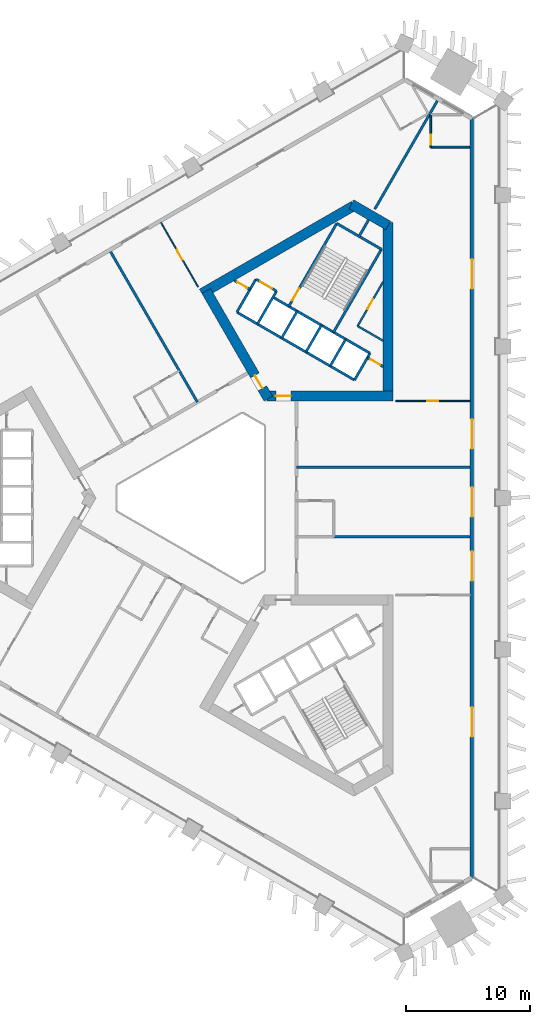
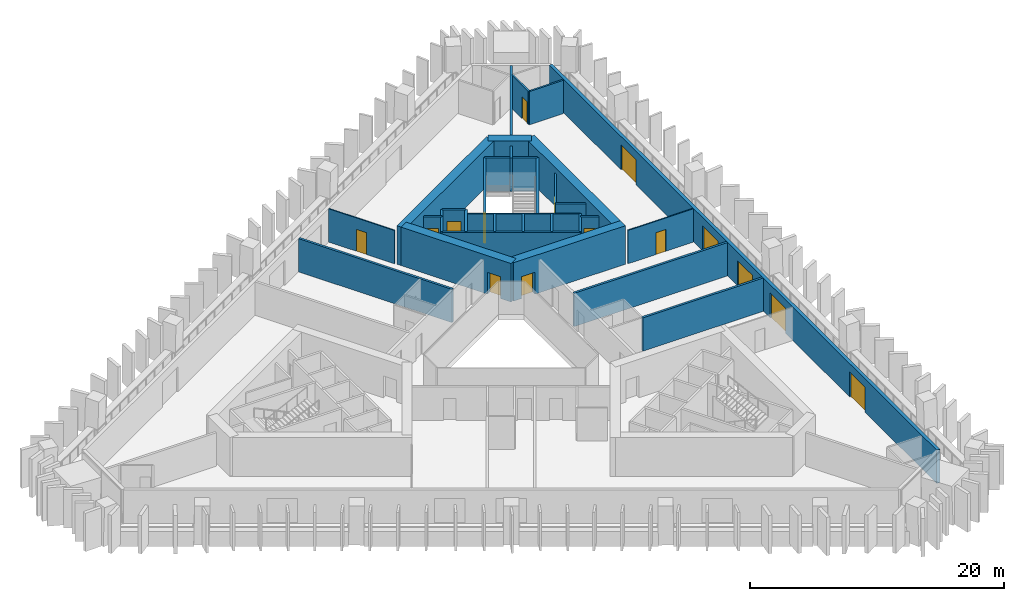
# One storey, part 5 of 10: 31 walls, 15 doors, 15 openings.
"""IFC4 building model written with IfcOpenShell, lengths in metres."""

from ifc_helpers import new_model, si_unit, direction, frame, frame_2d, origin, place, context, subcontext, project, spatial, rectangle, extrude, material, layer, layer_set, type_object, element, fill, save


model = new_model("IFC4")

# Units and contexts
model_context = context("Model", 3, precision=1e-05, world=origin(), true_north=direction((0.0, 1.0)))
body_context = subcontext(model_context, "Body", "Model", "MODEL_VIEW")
ifc_project = project(units=[si_unit("LENGTHUNIT", "METRE"), si_unit("AREAUNIT", "SQUARE_METRE"), si_unit("VOLUMEUNIT", "CUBIC_METRE"), si_unit("PLANEANGLEUNIT", "RADIAN"), si_unit("MASSUNIT", "GRAM", prefix="KILO")], contexts=[model_context])

# Site, building, storey
site_placement = place(None, origin())
site = spatial("IfcSite", under=ifc_project, at=site_placement, CompositionType="ELEMENT")
building_placement = place(site_placement, origin())
building = spatial("IfcBuilding", under=site, at=building_placement, Name="Jabali Bay Hotel Tower and Convention Centre", CompositionType="ELEMENT")
storey_placement = place(building_placement, frame((0.0, 0.0, 44.800048828125)))
storey = spatial("IfcBuildingStorey", under=building, at=storey_placement, Name="L09", CompositionType="ELEMENT", Elevation=44.800048828125)

# Wall
ifc_material_1 = material(Name="Concrete C40", Category="concrete")
ifc_layer_1 = layer(ifc_material_1, 0.199951171875)
ifc_layer_set_1 = layer_set([ifc_layer_1], Name="Concrete C40")
wall_type_1 = type_object("IfcWallType", Name="Core partition wall 200", PredefinedType="PARTITIONING", material=ifc_layer_set_1)
wall_1_placement = place(storey_placement, frame((87.090087890625, 100.9404296875, 0.0), z_axis=(0.0, 0.0, 1.0), x_axis=(0.499956811548, 0.866050337213, 0.0)))
element("IfcWall", 1, at=wall_1_placement, inside=storey, type_object=wall_type_1, Name="Core wall 1.5 L09", PredefinedType="PARTITIONING", context=body_context, shape_type="SweptSolid", body=[
    extrude(rectangle(XDim=1.623291015625, YDim=0.199951171875, at=frame_2d((0.8115234375, 0.0))), origin(), (0.0, 0.0, 1.0), 3.199951171875),
])

# Wall, opening, door
wall_2_placement = place(storey_placement, frame((89.080078125, 90.553955078125, 0.0), z_axis=(0.0, 0.0, 1.0), x_axis=(-0.866022048785, 0.500005810984, 0.0)))
wall_2 = element("IfcWall", 2, at=wall_2_placement, inside=storey, type_object=wall_type_1, Name="Core wall 1.11 L09", PredefinedType="PARTITIONING", context=body_context, shape_type="SweptSolid", body=[
    extrude(rectangle(XDim=1.466796875, YDim=0.199951171875, at=frame_2d((0.7333984375, 0.0))), origin(), (0.0, 0.0, 1.0), 3.199951171875),
])
opening_1_placement = place(wall_2_placement, frame((0.283447265625, 0.0, 0.0)))
opening_1 = element("IfcOpeningElement", 3, at=opening_1_placement, cuts=wall_2, Name="Opening D279", PredefinedType="OPENING", context=body_context, shape_type="SweptSolid", body=[
    extrude(rectangle(XDim=0.89990234375, YDim=2.10009765625, at=frame_2d((0.449951171875, 1.050048828125))), frame((0.0, 0.1103515625, 0.0), z_axis=(0.0, -1.0, 0.0), x_axis=(1.0, 0.0, 0.0)), (0.0, 0.0, 1.0), 0.220947265625),
])
ifc_material_2 = material(Name="Fire-rated steel door", Category="steel")
door_type_1 = type_object("IfcDoorType", Name="Vestibule fire door 900 x 2100", OperationType="NOTDEFINED", PredefinedType="NOTDEFINED", material=ifc_material_2)
door_1_placement = place(opening_1_placement, origin())
door_1 = element("IfcDoor", 4, at=door_1_placement, inside=storey, type_object=door_type_1, Name="Vestibule fire door D279", OperationType="SINGLE_SWING_LEFT", OverallHeight=2.10009765625, OverallWidth=0.89990234375, PredefinedType="NOTDEFINED", context=body_context, shape_type="SweptSolid", body=[
    extrude(rectangle(XDim=0.89990234375, YDim=2.10009765625, at=frame_2d((0.449951171875, 1.050048828125))), frame((0.0, 0.02490234375, 0.0), z_axis=(0.0, -1.0, 0.0), x_axis=(1.0, 0.0, 0.0)), (0.0, 0.0, 1.0), 0.050048828125),
])
fill(opening_1, door_1)

wall_3_placement = place(storey_placement, frame((78.380126953125, 96.754638671875, 0.0), z_axis=(0.0, 0.0, 1.0), x_axis=(-0.866003949776, 0.500037157592, 0.0)))
wall_3 = element("IfcWall", 5, at=wall_3_placement, inside=storey, type_object=wall_type_1, Name="Core wall 1.12 L09", PredefinedType="PARTITIONING", context=body_context, shape_type="SweptSolid", body=[
    extrude(rectangle(XDim=1.455078125, YDim=0.199951171875, at=frame_2d((0.7275390625, 0.0))), origin(), (0.0, 0.0, 1.0), 3.199951171875),
])
opening_2_placement = place(wall_3_placement, frame((0.277587890625, 0.0, 0.0)))
opening_2 = element("IfcOpeningElement", 6, at=opening_2_placement, cuts=wall_3, Name="Opening D278", PredefinedType="OPENING", context=body_context, shape_type="SweptSolid", body=[
    extrude(rectangle(XDim=0.89990234375, YDim=2.10009765625, at=frame_2d((0.449951171875, 1.050048828125))), frame((0.0, 0.1103515625, 0.0), z_axis=(0.0, -1.0, 0.0), x_axis=(1.0, 0.0, 0.0)), (0.0, 0.0, 1.0), 0.220947265625),
])
door_2_placement = place(opening_2_placement, origin())
door_2 = element("IfcDoor", 7, at=door_2_placement, inside=storey, type_object=door_type_1, Name="Vestibule fire door D278", OperationType="SINGLE_SWING_LEFT", OverallHeight=2.10009765625, OverallWidth=0.89990234375, PredefinedType="NOTDEFINED", context=body_context, shape_type="SweptSolid", body=[
    extrude(rectangle(XDim=0.89990234375, YDim=2.10009765625, at=frame_2d((0.449951171875, 1.050048828125))), frame((0.0, 0.02490234375, 0.0), z_axis=(0.0, -1.0, 0.0), x_axis=(1.0, 0.0, 0.0)), (0.0, 0.0, 1.0), 0.050048828125),
])
fill(opening_2, door_2)

ifc_material_3 = material(Name="Fire-rated board partition")
ifc_layer_2 = layer(ifc_material_3, 0.14990234375)
ifc_layer_set_2 = layer_set([ifc_layer_2], Name="Fire-rated board partition")
wall_type_2 = type_object("IfcWallType", Name="Core room partition 150", PredefinedType="PARTITIONING", material=ifc_layer_set_2)
wall_4_placement = place(storey_placement, frame((87.02099609375, 93.821044921875, 0.0), z_axis=(0.0, 0.0, 1.0), x_axis=(0.500028662945, 0.866008854593, 0.0)))
wall_4 = element("IfcWall", 8, at=wall_4_placement, inside=storey, type_object=wall_type_2, Name="Core wall 1.1 L09", PredefinedType="PARTITIONING", context=body_context, shape_type="SweptSolid", body=[
    extrude(rectangle(XDim=4.117919921875, YDim=0.14990234375, at=frame_2d((2.05908203125, 0.0))), origin(), (0.0, 0.0, 1.0), 3.199951171875),
])
opening_3_placement = place(wall_4_placement, frame((1.58154296875, 0.0, 0.0)))
opening_3 = element("IfcOpeningElement", 9, at=opening_3_placement, cuts=wall_4, Name="Opening D281", PredefinedType="OPENING", context=body_context, shape_type="SweptSolid", body=[
    extrude(rectangle(XDim=0.89990234375, YDim=2.10009765625, at=frame_2d((0.449951171875, 1.050048828125))), frame((0.0, 0.08544921875, 0.0), z_axis=(0.0, -1.0, 0.0), x_axis=(1.0, 0.0, 0.0)), (0.0, 0.0, 1.0), 0.1708984375),
])
door_type_2 = type_object("IfcDoorType", Name="Core room door 900 x 2100", OperationType="NOTDEFINED", PredefinedType="NOTDEFINED", material=ifc_material_2)
door_3_placement = place(opening_3_placement, origin())
door_3 = element("IfcDoor", 10, at=door_3_placement, inside=storey, type_object=door_type_2, Name="Core room door D281", OperationType="SINGLE_SWING_LEFT", OverallHeight=2.10009765625, OverallWidth=0.89990234375, PredefinedType="NOTDEFINED", context=body_context, shape_type="SweptSolid", body=[
    extrude(rectangle(XDim=0.89990234375, YDim=2.10009765625, at=frame_2d((0.449951171875, 1.050048828125))), frame((0.0, 0.02490234375, 0.0), z_axis=(0.0, -1.0, 0.0), x_axis=(1.0, 0.0, 0.0)), (0.0, 0.0, 1.0), 0.050048828125),
])
fill(opening_3, door_3)

# Walls
wall_5_placement = place(storey_placement, frame((89.080078125, 92.63232421875, 0.0), z_axis=(0.0, 0.0, 1.0), x_axis=(-0.866041951395, 0.499971337603, 0.0)))
element("IfcWall", 11, at=wall_5_placement, inside=storey, type_object=wall_type_2, Name="Core wall 1.15 L09", PredefinedType="PARTITIONING", context=body_context, shape_type="SweptSolid", body=[
    extrude(rectangle(XDim=2.377685546875, YDim=0.14990234375, at=frame_2d((1.18896484375, 0.0))), origin(), (0.0, 0.0, 1.0), 3.199951171875),
])
ifc_layer_3 = layer(ifc_material_1, 0.199951171875)
ifc_layer_set_3 = layer_set([ifc_layer_3], Name="Concrete C40")
wall_type_3 = type_object("IfcWallType", Name="Core stair wall 200", PredefinedType="SOLIDWALL", material=ifc_layer_set_3)
for number, where, z_axis, x_axis, name in (
    (12, (86.769775390625, 89.48583984375, 0.0), (0.0, 0.0, 1.0), (0.499961042966, 0.86604789447, 0.0), "Core wall 1.0 L09"),
    (13, (84.8212890625, 90.61083984375, 0.0), (0.0, 0.0, 1.0), (0.499961042966, 0.86604789447, 0.0), "Core wall 1.2 L09"),
):
    element("IfcWall", number, at=place(storey_placement, frame(where, z_axis=z_axis, x_axis=x_axis)), inside=storey, type_object=wall_type_3, Name=name, PredefinedType="SOLIDWALL", context=body_context, shape_type="SweptSolid", body=[
        extrude(rectangle(XDim=2.480224609375, YDim=0.199951171875, at=frame_2d((1.240234375, 0.0))), origin(), (0.0, 0.0, 1.0), 3.199951171875),
    ])
wall_6_placement = place(storey_placement, frame((85.0869140625, 93.3212890625, 0.0), z_axis=(0.0, 0.0, 1.0), x_axis=(0.500019787375, 0.866013979237, 0.0)))
element("IfcWall", 14, at=wall_6_placement, inside=storey, type_object=wall_type_3, Name="Core wall 1.3 L09", PredefinedType="SOLIDWALL", context=body_context, shape_type="SweptSolid", body=[
    extrude(rectangle(XDim=7.699951171875, YDim=0.199951171875, at=frame_2d((3.85009765625, 0.0))), origin(), (0.0, 0.0, 1.0), 3.199951171875),
])
for number, where, z_axis, x_axis, name in (
    (15, (82.872802734375, 91.73583984375, 0.0), (0.0, 0.0, 1.0), (0.499961042966, 0.86604789447, 0.0), "Core wall 1.4 L09"),
    (16, (80.924072265625, 92.86083984375, 0.0), (0.0, 0.0, 1.0), (0.499961042966, 0.86604789447, 0.0), "Core wall 1.6 L09"),
):
    element("IfcWall", number, at=place(storey_placement, frame(where, z_axis=z_axis, x_axis=x_axis)), inside=storey, type_object=wall_type_3, Name=name, PredefinedType="SOLIDWALL", context=body_context, shape_type="SweptSolid", body=[
        extrude(rectangle(XDim=2.480224609375, YDim=0.199951171875, at=frame_2d((1.240234375, 0.0))), origin(), (0.0, 0.0, 1.0), 3.199951171875),
    ])

# Wall, opening, door
wall_7_placement = place(storey_placement, frame((81.492919921875, 95.396240234375, 0.0), z_axis=(0.0, 0.0, 1.0), x_axis=(0.500006057782, 0.866021906294, 0.0)))
wall_7 = element("IfcWall", 17, at=wall_7_placement, inside=storey, type_object=wall_type_3, Name="Core wall 1.7 L09", PredefinedType="SOLIDWALL", context=body_context, shape_type="SweptSolid", body=[
    extrude(rectangle(XDim=7.7001953125, YDim=0.199951171875, at=frame_2d((3.85009765625, 0.0))), origin(), (0.0, 0.0, 1.0), 3.199951171875),
])
opening_4_placement = place(wall_7_placement, frame((0.550048828125, 0.0, 0.0)))
opening_4 = element("IfcOpeningElement", 18, at=opening_4_placement, cuts=wall_7, Name="Opening D280", PredefinedType="OPENING", context=body_context, shape_type="SweptSolid", body=[
    extrude(rectangle(XDim=1.10009765625, YDim=2.10009765625, at=frame_2d((0.550048828125, 1.050048828125))), frame((0.0, 0.1103515625, 0.0), z_axis=(0.0, -1.0, 0.0), x_axis=(1.0, 0.0, 0.0)), (0.0, 0.0, 1.0), 0.220947265625),
])
door_type_3 = type_object("IfcDoorType", Name="Stair fire door 1100 x 2100", OperationType="NOTDEFINED", PredefinedType="NOTDEFINED", material=ifc_material_2)
door_4_placement = place(opening_4_placement, origin())
door_4 = element("IfcDoor", 19, at=door_4_placement, inside=storey, type_object=door_type_3, Name="Stair fire door D280", OperationType="SINGLE_SWING_RIGHT", OverallHeight=2.10009765625, OverallWidth=1.10009765625, PredefinedType="NOTDEFINED", context=body_context, shape_type="SweptSolid", body=[
    extrude(rectangle(XDim=1.10009765625, YDim=2.10009765625, at=frame_2d((0.550048828125, 1.050048828125))), frame((0.0, 0.02490234375, 0.0), z_axis=(0.0, -1.0, 0.0), x_axis=(1.0, 0.0, 0.0)), (0.0, 0.0, 1.0), 0.050048828125),
])
fill(opening_4, door_4)

# Walls
for number, where, z_axis, x_axis, name in (
    (20, (78.9755859375, 93.98583984375, 0.0), (0.0, 0.0, 1.0), (0.499944174705, 0.866057632134, 0.0), "Core wall 1.8 L09"),
    (21, (77.330078125, 94.93603515625, 0.0), (0.0, 0.0, 1.0), (0.500038867431, 0.8660029625, 0.0), "Core wall 1.9 L09"),
):
    element("IfcWall", number, at=place(storey_placement, frame(where, z_axis=z_axis, x_axis=x_axis)), inside=storey, type_object=wall_type_3, Name=name, PredefinedType="SOLIDWALL", context=body_context, shape_type="SweptSolid", body=[
        extrude(rectangle(XDim=3.050048828125, YDim=0.199951171875, at=frame_2d((1.52490234375, 0.0))), origin(), (0.0, 0.0, 1.0), 3.199951171875),
    ])
wall_8_placement = place(storey_placement, frame((86.769775390625, 89.48583984375, 0.0), z_axis=(0.0, 0.0, 1.0), x_axis=(-0.86601811187, 0.500012629753, 0.0)))
element("IfcWall", 22, at=wall_8_placement, inside=storey, type_object=wall_type_3, Name="Core wall 1.10 L09", PredefinedType="SOLIDWALL", context=body_context, shape_type="SweptSolid", body=[
    extrude(rectangle(XDim=10.900146484375, YDim=0.199951171875, at=frame_2d((5.4501953125, 0.0))), origin(), (0.0, 0.0, 1.0), 3.199951171875),
])
wall_9_placement = place(storey_placement, frame((88.009765625, 91.6337890625, 0.0), z_axis=(0.0, 0.0, 1.0), x_axis=(-0.866024315419, 0.5000018851, 0.0)))
element("IfcWall", 23, at=wall_9_placement, inside=storey, type_object=wall_type_3, Name="Core wall 1.13 L09", PredefinedType="SOLIDWALL", context=body_context, shape_type="SweptSolid", body=[
    extrude(rectangle(XDim=9.0, YDim=0.199951171875, at=frame_2d((4.5, 0.0))), origin(), (0.0, 0.0, 1.0), 3.199951171875),
])

# Wall, opening, door
wall_10_placement = place(storey_placement, frame((80.50048828125, 96.62744140625, 0.0), z_axis=(0.0, 0.0, 1.0), x_axis=(-0.86601224135, 0.500022797313, 0.0)))
wall_10 = element("IfcWall", 24, at=wall_10_placement, inside=storey, type_object=wall_type_3, Name="Core wall 1.14 L09", PredefinedType="SOLIDWALL", context=body_context, shape_type="SweptSolid", body=[
    extrude(rectangle(XDim=1.89990234375, YDim=0.199951171875, at=frame_2d((0.949951171875, 0.0))), origin(), (0.0, 0.0, 1.0), 3.199951171875),
])
opening_5_placement = place(wall_10_placement, frame((0.39990234375, 0.0, 0.0)))
opening_5 = element("IfcOpeningElement", 25, at=opening_5_placement, cuts=wall_10, Name="Opening LD10-L09", PredefinedType="OPENING", context=body_context, shape_type="SweptSolid", body=[
    extrude(rectangle(XDim=1.10009765625, YDim=2.10009765625, at=frame_2d((0.550048828125, 1.050048828125))), frame((0.0, 0.1103515625, 0.0), z_axis=(0.0, -1.0, 0.0), x_axis=(1.0, 0.0, 0.0)), (0.0, 0.0, 1.0), 0.220947265625),
])
ifc_material_4 = material(Name="Stainless steel landing door", Category="steel")
door_type_4 = type_object("IfcDoorType", Name="Landing door 1100 x 2100", OperationType="NOTDEFINED", PredefinedType="NOTDEFINED", material=ifc_material_4)
door_5_placement = place(opening_5_placement, origin())
door_5 = element("IfcDoor", 26, at=door_5_placement, inside=storey, type_object=door_type_4, Name="Landing doors LD10-L09", OperationType="SLIDING_TO_RIGHT", OverallHeight=2.10009765625, OverallWidth=1.10009765625, PredefinedType="NOTDEFINED", context=body_context, shape_type="SweptSolid", body=[
    extrude(rectangle(XDim=1.10009765625, YDim=2.10009765625, at=frame_2d((0.550048828125, 1.050048828125))), frame((0.0, 0.02490234375, 0.0), z_axis=(0.0, -1.0, 0.0), x_axis=(1.0, 0.0, 0.0)), (0.0, 0.0, 1.0), 0.050048828125),
])
fill(opening_5, door_5)

# Wall
wall_11_placement = place(storey_placement, frame((88.93701171875, 99.989501953125, 0.0), z_axis=(0.0, 0.0, 1.0), x_axis=(-0.866004344652, 0.500036473714, 0.0)))
element("IfcWall", 27, at=wall_11_placement, inside=storey, type_object=wall_type_3, Name="Core wall 1.16 L09", PredefinedType="SOLIDWALL", context=body_context, shape_type="SweptSolid", body=[
    extrude(rectangle(XDim=4.150146484375, YDim=0.199951171875, at=frame_2d((2.0751953125, 0.0))), origin(), (0.0, 0.0, 1.0), 3.199951171875),
])

# Wall, opening, door
ifc_material_5 = material(Name="Concrete C60", Category="concrete")
ifc_layer_4 = layer(ifc_material_5, 0.800048828125)
ifc_layer_set_4 = layer_set([ifc_layer_4], Name="Concrete C60")
wall_type_4 = type_object("IfcWallType", Name="Core wall 800", PredefinedType="SHEAR", material=ifc_layer_set_4)
wall_12_placement = place(storey_placement, frame((79.73095703125, 88.1943359375, 0.0), z_axis=(0.0, 0.0, 1.0), x_axis=(1.0, 0.0, 0.0)))
wall_12 = element("IfcWall", 28, at=wall_12_placement, inside=storey, type_object=wall_type_4, Name="Core wall 2.1 L09", PredefinedType="SHEAR", context=body_context, shape_type="SweptSolid", body=[
    extrude(rectangle(XDim=10.14892578125, YDim=0.800048828125, at=frame_2d((5.074462890625, 0.0))), origin(), (0.0, 0.0, 1.0), 3.699951171875),
])
opening_6_placement = place(wall_12_placement, frame((0.718994140625, 0.0, 0.0)))
opening_6 = element("IfcOpeningElement", 29, at=opening_6_placement, cuts=wall_12, Name="Opening D276", PredefinedType="OPENING", context=body_context, shape_type="SweptSolid", body=[
    extrude(rectangle(XDim=1.199951171875, YDim=2.10009765625, at=frame_2d((0.60009765625, 1.050048828125))), frame((0.0, 0.41064453125, 0.0), z_axis=(0.0, -1.0, 0.0), x_axis=(1.0, 0.0, 0.0)), (0.0, 0.0, 1.0), 0.821044921875),
])
door_type_5 = type_object("IfcDoorType", Name="Corridor end fire door 1200 x 2100", OperationType="NOTDEFINED", PredefinedType="NOTDEFINED", material=ifc_material_2)
door_6_placement = place(opening_6_placement, origin())
door_6 = element("IfcDoor", 30, at=door_6_placement, inside=storey, type_object=door_type_5, Name="Corridor end fire door D276", OperationType="SINGLE_SWING_RIGHT", OverallHeight=2.10009765625, OverallWidth=1.199951171875, PredefinedType="NOTDEFINED", context=body_context, shape_type="SweptSolid", body=[
    extrude(rectangle(XDim=1.199951171875, YDim=2.10009765625, at=frame_2d((0.60009765625, 1.050048828125))), frame((0.0, 0.02490234375, 0.0), z_axis=(0.0, -1.0, 0.0), x_axis=(1.0, 0.0, 0.0)), (0.0, 0.0, 1.0), 0.050048828125),
])
fill(opening_6, door_6)

# Walls
wall_13_placement = place(storey_placement, frame((89.47998046875, 88.1943359375, 0.0), z_axis=(0.0, 0.0, 1.0), x_axis=(0.0, 1.0, 0.0)))
element("IfcWall", 31, at=wall_13_placement, inside=storey, type_object=wall_type_4, Name="Core wall 2.2 L09", PredefinedType="SHEAR", context=body_context, shape_type="SweptSolid", body=[
    extrude(rectangle(XDim=13.933349609375, YDim=0.800048828125, at=frame_2d((6.966796875, 0.0))), origin(), (0.0, 0.0, 1.0), 3.699951171875),
])
wall_14_placement = place(storey_placement, frame((89.47998046875, 101.896728515625, 0.0), z_axis=(0.0, 0.0, 1.0), x_axis=(-0.866034355626, 0.499984494636, 0.0)))
element("IfcWall", 32, at=wall_14_placement, inside=storey, type_object=wall_type_4, Name="Core wall 2.3 L09", PredefinedType="SHEAR", context=body_context, shape_type="SweptSolid", body=[
    extrude(rectangle(XDim=3.4140625, YDim=0.800048828125, at=frame_2d((1.70703125, 0.0))), origin(), (0.0, 0.0, 1.0), 3.699951171875),
])
wall_15_placement = place(storey_placement, frame((86.72314453125, 103.48828125, 0.0), z_axis=(0.0, 0.0, 1.0), x_axis=(-0.866032504327, -0.499987701298, 0.0)))
element("IfcWall", 33, at=wall_15_placement, inside=storey, type_object=wall_type_4, Name="Core wall 2.4 L09", PredefinedType="SHEAR", context=body_context, shape_type="SweptSolid", body=[
    extrude(rectangle(XDim=14.102294921875, YDim=0.800048828125, at=frame_2d((7.05126953125, 0.0))), origin(), (0.0, 0.0, 1.0), 3.699951171875),
])

# Wall, opening, door
wall_16_placement = place(storey_placement, frame((74.8564453125, 96.63720703125, 0.0), z_axis=(0.0, 0.0, 1.0), x_axis=(0.499993500917, -0.866029155999, 0.0)))
wall_16 = element("IfcWall", 34, at=wall_16_placement, inside=storey, type_object=wall_type_4, Name="Core wall 2.5 L09", PredefinedType="SHEAR", context=body_context, shape_type="SweptSolid", body=[
    extrude(rectangle(XDim=9.980224609375, YDim=0.800048828125, at=frame_2d((4.990234375, 0.0))), origin(), (0.0, 0.0, 1.0), 3.699951171875),
])
opening_7_placement = place(wall_16_placement, frame((7.830078125, 0.0, 0.0)))
opening_7 = element("IfcOpeningElement", 35, at=opening_7_placement, cuts=wall_16, Name="Opening D277", PredefinedType="OPENING", context=body_context, shape_type="SweptSolid", body=[
    extrude(rectangle(XDim=1.199951171875, YDim=2.10009765625, at=frame_2d((0.60009765625, 1.050048828125))), frame((0.0, 0.41064453125, 0.0), z_axis=(0.0, -1.0, 0.0), x_axis=(1.0, 0.0, 0.0)), (0.0, 0.0, 1.0), 0.821044921875),
])
door_7_placement = place(opening_7_placement, origin())
door_7 = element("IfcDoor", 36, at=door_7_placement, inside=storey, type_object=door_type_5, Name="Corridor end fire door D277", OperationType="SINGLE_SWING_LEFT", OverallHeight=2.10009765625, OverallWidth=1.199951171875, PredefinedType="NOTDEFINED", context=body_context, shape_type="SweptSolid", body=[
    extrude(rectangle(XDim=1.199951171875, YDim=2.10009765625, at=frame_2d((0.60009765625, 1.050048828125))), frame((0.0, 0.02490234375, 0.0), z_axis=(0.0, -1.0, 0.0), x_axis=(1.0, 0.0, 0.0)), (0.0, 0.0, 1.0), 0.050048828125),
])
fill(opening_7, door_7)

# Wall, openings, doors
ifc_layer_5 = layer(ifc_material_1, 0.300048828125)
ifc_layer_set_5 = layer_set([ifc_layer_5], Name="Concrete C40")
wall_type_5 = type_object("IfcWallType", Name="External wall 300", PredefinedType="SOLIDWALL", material=ifc_layer_set_5)
wall_17_placement = place(storey_placement, frame((96.201171875, 110.48291015625, 0.0), z_axis=(0.0, 0.0, 1.0), x_axis=(0.0, -1.0, 0.0)))
wall_17 = element("IfcWall", 37, at=wall_17_placement, inside=storey, type_object=wall_type_5, Name="External wall east face L09", PredefinedType="SOLIDWALL", context=body_context, shape_type="SweptSolid", body=[
    extrude(rectangle(XDim=60.9658203125, YDim=0.300048828125, at=frame_2d((30.48291015625, 0.0))), origin(), (0.0, 0.0, 1.0), 3.199951171875),
])
opening_8_placement = place(wall_17_placement, frame((29.594482421875, 0.0, 0.0)))
opening_8 = element("IfcOpeningElement", 38, at=opening_8_placement, cuts=wall_17, Name="Opening SD1", PredefinedType="OPENING", context=body_context, shape_type="SweptSolid", body=[
    extrude(rectangle(XDim=2.39990234375, YDim=2.39990234375, at=frame_2d((1.199951171875, 1.199951171875))), frame((0.0, 0.16064453125, 0.0), z_axis=(0.0, -1.0, 0.0), x_axis=(1.0, 0.0, 0.0)), (0.0, 0.0, 1.0), 0.321044921875),
])
opening_9_placement = place(wall_17_placement, frame((34.73876953125, 0.0, 0.0)))
opening_9 = element("IfcOpeningElement", 39, at=opening_9_placement, cuts=wall_17, Name="Opening SD1", PredefinedType="OPENING", context=body_context, shape_type="SweptSolid", body=[
    extrude(rectangle(XDim=2.39990234375, YDim=2.39990234375, at=frame_2d((1.199951171875, 1.199951171875))), frame((0.0, 0.16064453125, 0.0), z_axis=(0.0, -1.0, 0.0), x_axis=(1.0, 0.0, 0.0)), (0.0, 0.0, 1.0), 0.321044921875),
])
opening_10_placement = place(wall_17_placement, frame((47.275146484375, 0.0, 0.0)))
opening_10 = element("IfcOpeningElement", 40, at=opening_10_placement, cuts=wall_17, Name="Opening SD1", PredefinedType="OPENING", context=body_context, shape_type="SweptSolid", body=[
    extrude(rectangle(XDim=2.39990234375, YDim=2.39990234375, at=frame_2d((1.199951171875, 1.199951171875))), frame((0.0, 0.16064453125, 0.0), z_axis=(0.0, -1.0, 0.0), x_axis=(1.0, 0.0, 0.0)), (0.0, 0.0, 1.0), 0.321044921875),
])
opening_11_placement = place(wall_17_placement, frame((24.138671875, 0.0, 0.0)))
opening_11 = element("IfcOpeningElement", 41, at=opening_11_placement, cuts=wall_17, Name="Opening SD1", PredefinedType="OPENING", context=body_context, shape_type="SweptSolid", body=[
    extrude(rectangle(XDim=2.39990234375, YDim=2.39990234375, at=frame_2d((1.199951171875, 1.199951171875))), frame((0.0, 0.16064453125, 0.0), z_axis=(0.0, -1.0, 0.0), x_axis=(1.0, 0.0, 0.0)), (0.0, 0.0, 1.0), 0.321044921875),
])
opening_12_placement = place(wall_17_placement, frame((11.279541015625, 0.0, 0.0)))
opening_12 = element("IfcOpeningElement", 42, at=opening_12_placement, cuts=wall_17, Name="Opening SD1", PredefinedType="OPENING", context=body_context, shape_type="SweptSolid", body=[
    extrude(rectangle(XDim=2.39990234375, YDim=2.39990234375, at=frame_2d((1.199951171875, 1.199951171875))), frame((0.0, 0.16064453125, 0.0), z_axis=(0.0, -1.0, 0.0), x_axis=(1.0, 0.0, 0.0)), (0.0, 0.0, 1.0), 0.321044921875),
])
ifc_material_6 = material(Name="Glass", Category="glass")
door_type_6 = type_object("IfcDoorType", Name="Loggia sliding door 2400 x 2400", OperationType="NOTDEFINED", PredefinedType="NOTDEFINED", material=ifc_material_6)
door_8_placement = place(opening_8_placement, origin())
door_8 = element("IfcDoor", 43, at=door_8_placement, inside=storey, type_object=door_type_6, Name="Loggia sliding door 902", OperationType="SLIDING_TO_LEFT", OverallHeight=2.39990234375, OverallWidth=2.39990234375, PredefinedType="NOTDEFINED", context=body_context, shape_type="SweptSolid", body=[
    extrude(rectangle(XDim=2.39990234375, YDim=2.39990234375, at=frame_2d((1.199951171875, 1.199951171875))), frame((0.0, 0.02490234375, 0.0), z_axis=(0.0, -1.0, 0.0), x_axis=(1.0, 0.0, 0.0)), (0.0, 0.0, 1.0), 0.050048828125),
])
fill(opening_8, door_8)
door_9_placement = place(opening_9_placement, origin())
door_9 = element("IfcDoor", 44, at=door_9_placement, inside=storey, type_object=door_type_6, Name="Loggia sliding door 901", OperationType="SLIDING_TO_RIGHT", OverallHeight=2.39990234375, OverallWidth=2.39990234375, PredefinedType="NOTDEFINED", context=body_context, shape_type="SweptSolid", body=[
    extrude(rectangle(XDim=2.39990234375, YDim=2.39990234375, at=frame_2d((1.199951171875, 1.199951171875))), frame((0.0, 0.02490234375, 0.0), z_axis=(0.0, -1.0, 0.0), x_axis=(1.0, 0.0, 0.0)), (0.0, 0.0, 1.0), 0.050048828125),
])
fill(opening_9, door_9)
door_10_placement = place(opening_10_placement, origin())
door_10 = element("IfcDoor", 45, at=door_10_placement, inside=storey, type_object=door_type_6, Name="Loggia sliding door 901", OperationType="SLIDING_TO_LEFT", OverallHeight=2.39990234375, OverallWidth=2.39990234375, PredefinedType="NOTDEFINED", context=body_context, shape_type="SweptSolid", body=[
    extrude(rectangle(XDim=2.39990234375, YDim=2.39990234375, at=frame_2d((1.199951171875, 1.199951171875))), frame((0.0, 0.02490234375, 0.0), z_axis=(0.0, -1.0, 0.0), x_axis=(1.0, 0.0, 0.0)), (0.0, 0.0, 1.0), 0.050048828125),
])
fill(opening_10, door_10)
door_11_placement = place(opening_11_placement, origin())
door_11 = element("IfcDoor", 46, at=door_11_placement, inside=storey, type_object=door_type_6, Name="Loggia sliding door 903", OperationType="SLIDING_TO_RIGHT", OverallHeight=2.39990234375, OverallWidth=2.39990234375, PredefinedType="NOTDEFINED", context=body_context, shape_type="SweptSolid", body=[
    extrude(rectangle(XDim=2.39990234375, YDim=2.39990234375, at=frame_2d((1.199951171875, 1.199951171875))), frame((0.0, 0.02490234375, 0.0), z_axis=(0.0, -1.0, 0.0), x_axis=(1.0, 0.0, 0.0)), (0.0, 0.0, 1.0), 0.050048828125),
])
fill(opening_11, door_11)
door_12_placement = place(opening_12_placement, origin())
door_12 = element("IfcDoor", 47, at=door_12_placement, inside=storey, type_object=door_type_6, Name="Loggia sliding door 903", OperationType="SLIDING_TO_LEFT", OverallHeight=2.39990234375, OverallWidth=2.39990234375, PredefinedType="NOTDEFINED", context=body_context, shape_type="SweptSolid", body=[
    extrude(rectangle(XDim=2.39990234375, YDim=2.39990234375, at=frame_2d((1.199951171875, 1.199951171875))), frame((0.0, 0.02490234375, 0.0), z_axis=(0.0, -1.0, 0.0), x_axis=(1.0, 0.0, 0.0)), (0.0, 0.0, 1.0), 0.050048828125),
])
fill(opening_12, door_12)

# Wall, opening, door
ifc_material_7 = material(Name="Plasterboard on steel stud", Category="steel")
ifc_layer_6 = layer(ifc_material_7, 0.10009765625)
ifc_layer_set_6 = layer_set([ifc_layer_6], Name="Plasterboard on steel stud")
wall_type_6 = type_object("IfcWallType", Name="Partition 100 unit", PredefinedType="PARTITIONING", material=ifc_layer_set_6)
wall_18_placement = place(storey_placement, frame((96.05224609375, 87.794189453125, 0.0), z_axis=(0.0, 0.0, 1.0), x_axis=(-1.0, 0.0, 0.0)))
wall_18 = element("IfcWall", 48, at=wall_18_placement, inside=storey, type_object=wall_type_6, Name="Partition P02 L09 011", PredefinedType="PARTITIONING", context=body_context, shape_type="SweptSolid", body=[
    extrude(rectangle(XDim=5.97314453125, YDim=0.10009765625, at=frame_2d((2.986572265625, 0.0))), origin(), (0.0, 0.0, 1.0), 3.199951171875),
])
opening_13_placement = place(wall_18_placement, frame((2.537109375, 0.0, 0.0)))
opening_13 = element("IfcOpeningElement", 49, at=opening_13_placement, cuts=wall_18, Name="Opening 0907", PredefinedType="OPENING", context=body_context, shape_type="SweptSolid", body=[
    extrude(rectangle(XDim=0.89990234375, YDim=2.10009765625, at=frame_2d((0.449951171875, 1.050048828125))), frame((0.0, 0.060546875, 0.0), z_axis=(0.0, -1.0, 0.0), x_axis=(1.0, 0.0, 0.0)), (0.0, 0.0, 1.0), 0.12109375),
])
ifc_material_8 = material(Name="Timber", Category="wood")
door_type_7 = type_object("IfcDoorType", Name="Internal door 900 x 2100", OperationType="NOTDEFINED", PredefinedType="NOTDEFINED", material=ifc_material_8)
door_13_placement = place(opening_13_placement, origin())
door_13 = element("IfcDoor", 50, at=door_13_placement, inside=storey, type_object=door_type_7, Name="Door 0907", OperationType="SINGLE_SWING_RIGHT", OverallHeight=2.10009765625, OverallWidth=0.89990234375, PredefinedType="NOTDEFINED", context=body_context, shape_type="SweptSolid", body=[
    extrude(rectangle(XDim=0.89990234375, YDim=2.10009765625, at=frame_2d((0.449951171875, 1.050048828125))), frame((0.0, 0.02490234375, 0.0), z_axis=(0.0, -1.0, 0.0), x_axis=(1.0, 0.0, 0.0)), (0.0, 0.0, 1.0), 0.050048828125),
])
fill(opening_13, door_13)

wall_19_placement = place(storey_placement, frame((74.21044921875, 96.955810546875, 0.0), z_axis=(0.0, 0.0, 1.0), x_axis=(-0.49998544381, 0.866033807642, 0.0)))
wall_19 = element("IfcWall", 51, at=wall_19_placement, inside=storey, type_object=wall_type_6, Name="Partition P02 L09 016", PredefinedType="PARTITIONING", context=body_context, shape_type="SweptSolid", body=[
    extrude(rectangle(XDim=5.973388671875, YDim=0.10009765625, at=frame_2d((2.98681640625, 0.0))), origin(), (0.0, 0.0, 1.0), 3.199951171875),
])
opening_14_placement = place(wall_19_placement, frame((2.537109375, 0.0, 0.0)))
opening_14 = element("IfcOpeningElement", 52, at=opening_14_placement, cuts=wall_19, Name="Opening 0910", PredefinedType="OPENING", context=body_context, shape_type="SweptSolid", body=[
    extrude(rectangle(XDim=0.89990234375, YDim=2.10009765625, at=frame_2d((0.449951171875, 1.050048828125))), frame((0.0, 0.060546875, 0.0), z_axis=(0.0, -1.0, 0.0), x_axis=(1.0, 0.0, 0.0)), (0.0, 0.0, 1.0), 0.12109375),
])
door_14_placement = place(opening_14_placement, origin())
door_14 = element("IfcDoor", 53, at=door_14_placement, inside=storey, type_object=door_type_7, Name="Door 0910", OperationType="SINGLE_SWING_RIGHT", OverallHeight=2.10009765625, OverallWidth=0.89990234375, PredefinedType="NOTDEFINED", context=body_context, shape_type="SweptSolid", body=[
    extrude(rectangle(XDim=0.89990234375, YDim=2.10009765625, at=frame_2d((0.449951171875, 1.050048828125))), frame((0.0, 0.02490234375, 0.0), z_axis=(0.0, -1.0, 0.0), x_axis=(1.0, 0.0, 0.0)), (0.0, 0.0, 1.0), 0.050048828125),
])
fill(opening_14, door_14)

# Wall
ifc_layer_7 = layer(ifc_material_7, 0.14990234375)
ifc_layer_set_7 = layer_set([ifc_layer_7], Name="Plasterboard on steel stud")
wall_type_7 = type_object("IfcWallType", Name="Partition 150 wet", PredefinedType="PARTITIONING", material=ifc_layer_set_7)
wall_20_placement = place(storey_placement, frame((96.01123046875, 108.1943359375, 0.0), z_axis=(0.0, 0.0, 1.0), x_axis=(-1.0, 0.0, 0.0)))
element("IfcWall", 54, at=wall_20_placement, inside=storey, type_object=wall_type_7, Name="Partition P03 L09 012", PredefinedType="PARTITIONING", context=body_context, shape_type="SweptSolid", body=[
    extrude(rectangle(XDim=3.109619140625, YDim=0.14990234375, at=frame_2d((1.5546875, 0.0))), origin(), (0.0, 0.0, 1.0), 3.199951171875),
])

# Wall, opening, door
wall_21_placement = place(storey_placement, frame((92.901611328125, 108.1943359375, 0.0), z_axis=(0.0, 0.0, 1.0), x_axis=(0.0, 1.0, 0.0)))
wall_21 = element("IfcWall", 55, at=wall_21_placement, inside=storey, type_object=wall_type_7, Name="Partition P03 L09 013", PredefinedType="PARTITIONING", context=body_context, shape_type="SweptSolid", body=[
    extrude(rectangle(XDim=2.599853515625, YDim=0.14990234375, at=frame_2d((1.2998046875, 0.0))), origin(), (0.0, 0.0, 1.0), 3.199951171875),
])
opening_15_placement = place(wall_21_placement, frame((0.199951171875, 0.0, 0.0)))
opening_15 = element("IfcOpeningElement", 56, at=opening_15_placement, cuts=wall_21, Name="Opening 0908", PredefinedType="OPENING", context=body_context, shape_type="SweptSolid", body=[
    extrude(rectangle(XDim=0.800048828125, YDim=2.10009765625, at=frame_2d((0.39990234375, 1.050048828125))), frame((0.0, 0.08544921875, 0.0), z_axis=(0.0, -1.0, 0.0), x_axis=(1.0, 0.0, 0.0)), (0.0, 0.0, 1.0), 0.1708984375),
])
door_type_8 = type_object("IfcDoorType", Name="En-suite door 800 x 2100", OperationType="NOTDEFINED", PredefinedType="NOTDEFINED", material=ifc_material_8)
door_15_placement = place(opening_15_placement, origin())
door_15 = element("IfcDoor", 57, at=door_15_placement, inside=storey, type_object=door_type_8, Name="Door 0908", OperationType="SINGLE_SWING_LEFT", OverallHeight=2.10009765625, OverallWidth=0.800048828125, PredefinedType="NOTDEFINED", context=body_context, shape_type="SweptSolid", body=[
    extrude(rectangle(XDim=0.800048828125, YDim=2.10009765625, at=frame_2d((0.39990234375, 1.050048828125))), frame((0.0, 0.02490234375, 0.0), z_axis=(0.0, -1.0, 0.0), x_axis=(1.0, 0.0, 0.0)), (0.0, 0.0, 1.0), 0.050048828125),
])
fill(opening_15, door_15)

# Walls
ifc_layer_8 = layer(ifc_material_7, 0.199951171875)
ifc_layer_set_8 = layer_set([ifc_layer_8], Name="Plasterboard on steel stud")
wall_type_8 = type_object("IfcWallType", Name="Partition 200 party", PredefinedType="PARTITIONING", material=ifc_layer_set_8)
wall_22_placement = place(storey_placement, frame((96.05224609375, 76.88232421875, 0.0), z_axis=(0.0, 0.0, 1.0), x_axis=(-1.0, 0.0, 0.0)))
element("IfcWall", 58, at=wall_22_placement, inside=storey, type_object=wall_type_8, Name="Partition P01 L09 002", PredefinedType="PARTITIONING", context=body_context, shape_type="SweptSolid", body=[
    extrude(rectangle(XDim=10.9521484375, YDim=0.199951171875, at=frame_2d((5.47607421875, 0.0))), origin(), (0.0, 0.0, 1.0), 3.199951171875),
])
wall_23_placement = place(storey_placement, frame((96.05224609375, 82.494140625, 0.0), z_axis=(0.0, 0.0, 1.0), x_axis=(-1.0, 0.0, 0.0)))
element("IfcWall", 59, at=wall_23_placement, inside=storey, type_object=wall_type_8, Name="Partition P01 L09 010", PredefinedType="PARTITIONING", context=body_context, shape_type="SweptSolid", body=[
    extrude(rectangle(XDim=13.9521484375, YDim=0.199951171875, at=frame_2d((6.97607421875, 0.0))), origin(), (0.0, 0.0, 1.0), 3.199951171875),
])
wall_24_placement = place(storey_placement, frame((93.42529296875, 111.91357421875, 0.0), z_axis=(0.0, 0.0, 1.0), x_axis=(-0.499988149344, -0.866032245656, 0.0)))
element("IfcWall", 60, at=wall_24_placement, inside=storey, type_object=wall_type_8, Name="Partition P01 L09 015", PredefinedType="PARTITIONING", context=body_context, shape_type="SweptSolid", body=[
    extrude(rectangle(XDim=10.048583984375, YDim=0.199951171875, at=frame_2d((5.0244140625, 0.0))), origin(), (0.0, 0.0, 1.0), 3.199951171875),
])
wall_25_placement = place(storey_placement, frame((67.173828125, 99.79052734375, 0.0), z_axis=(0.0, 0.0, 1.0), x_axis=(0.499997119037, -0.866027067103, 0.0)))
element("IfcWall", 61, at=wall_25_placement, inside=storey, type_object=wall_type_8, Name="Partition P01 L09 017", PredefinedType="PARTITIONING", context=body_context, shape_type="SweptSolid", body=[
    extrude(rectangle(XDim=13.9521484375, YDim=0.199951171875, at=frame_2d((6.97607421875, 0.0))), origin(), (0.0, 0.0, 1.0), 3.199951171875),
])

save(model, "model.ifc")
